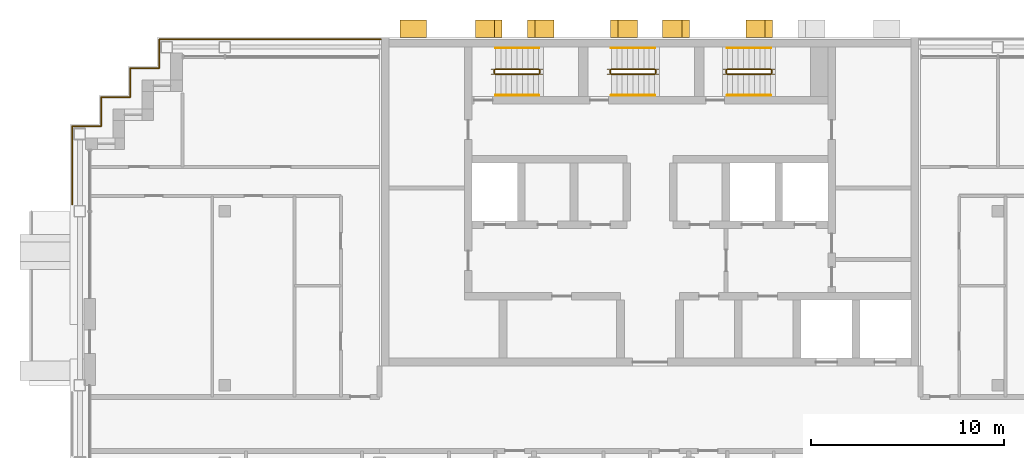
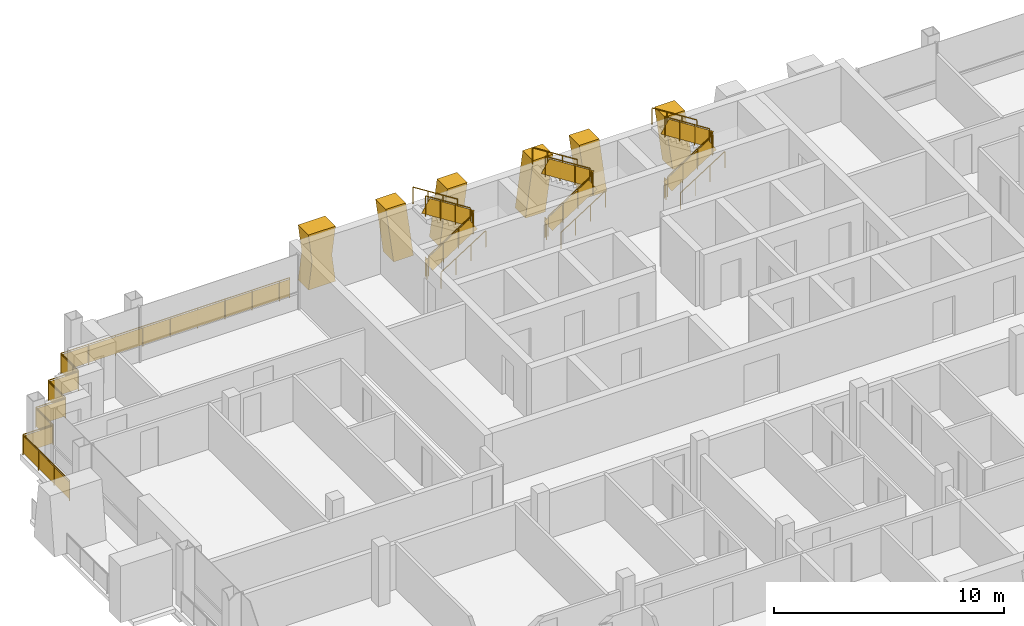
# One storey, part 15 of 16: 21 railings, 6 shading devices.
"""IFC4 building model written with IfcOpenShell, lengths in metres."""

from ifc_helpers import new_model, si_unit, direction, frame, origin, origin_2d, place, context, subcontext, project, spatial, polyline, rectangle, circle, outline, extrude, material, layer, layer_set, type_object, element, save


model = new_model("IFC4")

# Units and contexts
model_context = context("Model", 3, precision=1e-05, world=origin(), true_north=direction((0.0, 1.0)))
body_context = subcontext(model_context, "Body", "Model", "MODEL_VIEW")
ifc_project = project(units=[si_unit("LENGTHUNIT", "METRE"), si_unit("AREAUNIT", "SQUARE_METRE"), si_unit("VOLUMEUNIT", "CUBIC_METRE"), si_unit("PLANEANGLEUNIT", "RADIAN"), si_unit("MASSUNIT", "GRAM", prefix="KILO")], contexts=[model_context])

# Site, building, storey
site_placement = place(None, origin())
site = spatial("IfcSite", under=ifc_project, at=site_placement, CompositionType="ELEMENT")
building_placement = place(site_placement, origin())
building = spatial("IfcBuilding", under=site, at=building_placement, Name="Vidyagriha Tower", CompositionType="ELEMENT")
storey_placement = place(building_placement, frame((0.0, 0.0, 217.199951171875)))
storey = spatial("IfcBuildingStorey", under=building, at=storey_placement, Name="L56", CompositionType="ELEMENT", Elevation=217.199951171875)

# Shading devices
ifc_material_1 = material(Name="Precast concrete C40/50 with brick facing", Category="concrete")
ifc_layer_1 = layer(ifc_material_1, 1.0)
ifc_layer_set_1 = layer_set([ifc_layer_1], Name="Precast concrete C40/50 with brick facing")
shading_device_type_1 = type_object("IfcShadingDeviceType", Name="Brick-faced rear rib arm leaning 8 degrees", PredefinedType="USERDEFINED", material=ifc_layer_set_1)
for number, where, z_axis, x_axis, name in (
    (1, (6.343017578125, 20.449951171875, 0.0), (0.0, 0.0, 1.0), (-1.0, 0.0, 0.0), "Rear rib arm L56 R08.2a"),
    (2, (2.04296875, 20.449951171875, 0.0), (0.0, 0.0, 1.0), (-1.0, 0.0, 0.0), "Rear rib arm L56 R08.3a"),
):
    element("IfcShadingDevice", number, at=place(storey_placement, frame(where, z_axis=z_axis, x_axis=x_axis)), inside=storey, type_object=shading_device_type_1, Name=name, ObjectType="BLADE FIN", PredefinedType="USERDEFINED", context=body_context, shape_type="SweptSolid", body=[
        extrude(outline(polyline([(0.0, 0.0), (1.0, 0.0), (1.3857421875, 2.920166015625), (0.3857421875, 2.920166015625), (0.0, 0.0)])), frame((0.0, 0.449951171875, 0.0), z_axis=(0.0, -1.0, 0.0), x_axis=(1.0, 0.0, 0.0)), (0.0, 0.0, 1.0), 0.89990234375),
    ])
shading_device_1_placement = place(storey_placement, frame((-0.656982421875, 20.449951171875, 0.0), z_axis=(0.0, 0.0, 1.0), x_axis=(-1.0, 0.0, 0.0)))
element("IfcShadingDevice", 3, at=shading_device_1_placement, inside=storey, type_object=shading_device_type_1, Name="Rear rib arm L56 R08.3b", ObjectType="BLADE FIN", PredefinedType="USERDEFINED", context=body_context, shape_type="SweptSolid", body=[
    extrude(outline(polyline([(0.3857421875, 0.0), (1.3857421875, 0.0), (1.0, 2.920166015625), (0.0, 2.920166015625), (0.3857421875, 0.0)])), frame((0.0, 0.449951171875, 0.0), z_axis=(0.0, -1.0, 0.0), x_axis=(1.0, 0.0, 0.0)), (0.0, 0.0, 1.0), 0.89990234375),
])
shading_device_2_placement = place(storey_placement, frame((-7.656982421875, 20.449951171875, 0.0), z_axis=(0.0, 0.0, 1.0), x_axis=(-1.0, 0.0, 0.0)))
element("IfcShadingDevice", 4, at=shading_device_2_placement, inside=storey, type_object=shading_device_type_1, Name="Rear rib arm L56 R08.4a", ObjectType="BLADE FIN", PredefinedType="USERDEFINED", context=body_context, shape_type="SweptSolid", body=[
    extrude(outline(polyline([(0.0, 0.0), (1.0, 0.0), (1.3857421875, 2.920166015625), (0.3857421875, 2.920166015625), (0.0, 0.0)])), frame((0.0, 0.449951171875, 0.0), z_axis=(0.0, -1.0, 0.0), x_axis=(1.0, 0.0, 0.0)), (0.0, 0.0, 1.0), 0.89990234375),
])
shading_device_3_placement = place(storey_placement, frame((-4.95703125, 20.449951171875, 0.0), z_axis=(0.0, 0.0, 1.0), x_axis=(-1.0, 0.0, 0.0)))
element("IfcShadingDevice", 5, at=shading_device_3_placement, inside=storey, type_object=shading_device_type_1, Name="Rear rib arm L56 R08.4b", ObjectType="BLADE FIN", PredefinedType="USERDEFINED", context=body_context, shape_type="SweptSolid", body=[
    extrude(outline(polyline([(0.3857421875, 0.0), (1.3857421875, 0.0), (1.0, 2.920166015625), (0.0, 2.920166015625), (0.3857421875, 0.0)])), frame((0.0, 0.449951171875, 0.0), z_axis=(0.0, -1.0, 0.0), x_axis=(1.0, 0.0, 0.0)), (0.0, 0.0, 1.0), 0.89990234375),
])
ifc_material_2 = material(Name="Precast concrete C40/50 with brick facing", Category="concrete")
ifc_layer_2 = layer(ifc_material_2, 1.0)
ifc_layer_set_2 = layer_set([ifc_layer_2], Name="Precast concrete C40/50 with brick facing")
shading_device_type_2 = type_object("IfcShadingDeviceType", Name="Brick-faced rear rib forking 8 degrees", PredefinedType="USERDEFINED", material=ifc_layer_set_2)
shading_device_4_placement = place(storey_placement, frame((-11.5712890625, 20.449951171875, 0.0), z_axis=(0.0, 0.0, 1.0), x_axis=(-1.0, 0.0, 0.0)))
element("IfcShadingDevice", 6, at=shading_device_4_placement, inside=storey, type_object=shading_device_type_2, Name="Rear rib fork L56 R08.5a", ObjectType="BLADE FIN", PredefinedType="USERDEFINED", context=body_context, shape_type="SweptSolid", body=[
    extrude(outline(polyline([(0.0, 0.0), (1.357177734375, 0.0), (1.1787109375, 1.4599609375), (1.357177734375, 2.920166015625), (0.0, 2.920166015625), (0.1787109375, 1.4599609375), (0.0, 0.0)])), frame((0.0, 0.449951171875, 0.0), z_axis=(0.0, -1.0, 0.0), x_axis=(1.0, 0.0, 0.0)), (0.0, 0.0, 1.0), 0.89990234375),
])

# Railings
ifc_material_3 = material(Name="Steel ASTM A500 Grade C black painted", Category="steel")
railing_type_1 = type_object("IfcRailingType", Name="Gallery guard 1100", PredefinedType="GUARDRAIL", material=ifc_material_3)
railing_1_placement = place(storey_placement, frame((-29.89990234375, 11.360107421875, 0.0)))
element("IfcRailing", 7, at=railing_1_placement, inside=storey, type_object=railing_type_1, Name="Gallery guard L56 4", PredefinedType="GUARDRAIL", context=body_context, shape_type="SweptSolid", body=[
    extrude(circle(Radius=0.02490234375, at=origin_2d()), frame((0.0, 0.0, 1.0751953125), z_axis=(0.0, 1.0, 0.0), x_axis=(-1.0, 0.0, 0.0)), (0.0, 0.0, 1.0), 4.039794921875),
    extrude(circle(Radius=0.02490234375, at=origin_2d()), frame((0.0, 4.039794921875, 1.0751953125), z_axis=(1.0, 0.0, 0.0), x_axis=(0.0, 1.0, 0.0)), (0.0, 0.0, 1.0), 1.5),
    extrude(circle(Radius=0.02490234375, at=origin_2d()), frame((1.5, 4.039794921875, 1.0751953125), z_axis=(0.0, 1.0, 0.0), x_axis=(-1.0, 0.0, 0.0)), (0.0, 0.0, 1.0), 1.5),
    extrude(circle(Radius=0.02490234375, at=origin_2d()), frame((1.5, 5.539794921875, 1.0751953125), z_axis=(1.0, 0.0, 0.0), x_axis=(0.0, 1.0, 0.0)), (0.0, 0.0, 1.0), 1.5),
    extrude(circle(Radius=0.02490234375, at=origin_2d()), frame((3.0, 5.539794921875, 1.0751953125), z_axis=(0.0, 1.0, 0.0), x_axis=(-1.0, 0.0, 0.0)), (0.0, 0.0, 1.0), 1.5),
    extrude(circle(Radius=0.02490234375, at=origin_2d()), frame((3.0, 7.039794921875, 1.0751953125), z_axis=(1.0, 0.0, 0.0), x_axis=(0.0, 1.0, 0.0)), (0.0, 0.0, 1.0), 1.5),
    extrude(circle(Radius=0.02490234375, at=origin_2d()), frame((4.5, 7.039794921875, 1.0751953125), z_axis=(0.0, 1.0, 0.0), x_axis=(-1.0, 0.0, 0.0)), (0.0, 0.0, 1.0), 0.460205078125),
    extrude(circle(Radius=0.02001953125, at=origin_2d()), origin(), (0.0, 0.0, 1.0), 1.050048828125),
    extrude(circle(Radius=0.02001953125, at=origin_2d()), frame((0.0, 1.3466796875, 0.0)), (0.0, 0.0, 1.0), 1.050048828125),
    extrude(circle(Radius=0.02001953125, at=origin_2d()), frame((0.0, 2.693115234375, 0.0)), (0.0, 0.0, 1.0), 1.050048828125),
    extrude(circle(Radius=0.02001953125, at=origin_2d()), frame((0.0, 4.039794921875, 0.0)), (0.0, 0.0, 1.0), 1.050048828125),
    extrude(circle(Radius=0.02001953125, at=origin_2d()), frame((1.5, 4.039794921875, 0.0)), (0.0, 0.0, 1.0), 1.050048828125),
    extrude(circle(Radius=0.02001953125, at=origin_2d()), frame((1.5, 5.539794921875, 0.0)), (0.0, 0.0, 1.0), 1.050048828125),
    extrude(circle(Radius=0.02001953125, at=origin_2d()), frame((3.0, 5.539794921875, 0.0)), (0.0, 0.0, 1.0), 1.050048828125),
    extrude(circle(Radius=0.02001953125, at=origin_2d()), frame((3.0, 7.039794921875, 0.0)), (0.0, 0.0, 1.0), 1.050048828125),
    extrude(circle(Radius=0.02001953125, at=origin_2d()), frame((4.5, 7.039794921875, 0.0)), (0.0, 0.0, 1.0), 1.050048828125),
    extrude(circle(Radius=0.02001953125, at=origin_2d()), frame((4.5, 7.5, 0.0)), (0.0, 0.0, 1.0), 1.050048828125),
    extrude(rectangle(XDim=0.010009765625, YDim=0.900146484375, at=origin_2d()), frame((0.0, 0.0, 0.550048828125), z_axis=(0.0, 1.0, 0.0), x_axis=(-1.0, 0.0, 0.0)), (0.0, 0.0, 1.0), 4.039794921875),
    extrude(rectangle(XDim=0.010009765625, YDim=0.900146484375, at=origin_2d()), frame((0.0, 4.039794921875, 0.550048828125), z_axis=(1.0, 0.0, 0.0), x_axis=(0.0, 1.0, 0.0)), (0.0, 0.0, 1.0), 1.5),
    extrude(rectangle(XDim=0.010009765625, YDim=0.900146484375, at=origin_2d()), frame((1.5, 4.039794921875, 0.550048828125), z_axis=(0.0, 1.0, 0.0), x_axis=(-1.0, 0.0, 0.0)), (0.0, 0.0, 1.0), 1.5),
    extrude(rectangle(XDim=0.010009765625, YDim=0.900146484375, at=origin_2d()), frame((1.5, 5.539794921875, 0.550048828125), z_axis=(1.0, 0.0, 0.0), x_axis=(0.0, 1.0, 0.0)), (0.0, 0.0, 1.0), 1.5),
    extrude(rectangle(XDim=0.010009765625, YDim=0.900146484375, at=origin_2d()), frame((3.0, 5.539794921875, 0.550048828125), z_axis=(0.0, 1.0, 0.0), x_axis=(-1.0, 0.0, 0.0)), (0.0, 0.0, 1.0), 1.5),
    extrude(rectangle(XDim=0.010009765625, YDim=0.900146484375, at=origin_2d()), frame((3.0, 7.039794921875, 0.550048828125), z_axis=(1.0, 0.0, 0.0), x_axis=(0.0, 1.0, 0.0)), (0.0, 0.0, 1.0), 1.5),
    extrude(rectangle(XDim=0.010009765625, YDim=0.900146484375, at=origin_2d()), frame((4.5, 7.039794921875, 0.550048828125), z_axis=(0.0, 1.0, 0.0), x_axis=(-1.0, 0.0, 0.0)), (0.0, 0.0, 1.0), 0.460205078125),
])
railing_2_placement = place(storey_placement, frame((-25.39990234375, 18.860107421875, 0.0)))
element("IfcRailing", 8, at=railing_2_placement, inside=storey, type_object=railing_type_1, Name="Gallery guard L56 5", PredefinedType="GUARDRAIL", context=body_context, shape_type="SweptSolid", body=[
    extrude(circle(Radius=0.02490234375, at=origin_2d()), frame((0.0, 0.0, 1.0751953125), z_axis=(0.0, 1.0, 0.0), x_axis=(-1.0, 0.0, 0.0)), (0.0, 0.0, 1.0), 1.039794921875),
    extrude(circle(Radius=0.02490234375, at=origin_2d()), frame((0.0, 1.039794921875, 1.0751953125), z_axis=(1.0, 0.0, 0.0), x_axis=(0.0, 1.0, 0.0)), (0.0, 0.0, 1.0), 10.9599609375),
    extrude(circle(Radius=0.02001953125, at=origin_2d()), origin(), (0.0, 0.0, 1.0), 1.050048828125),
    extrude(circle(Radius=0.02001953125, at=origin_2d()), frame((0.0, 1.039794921875, 0.0)), (0.0, 0.0, 1.0), 1.050048828125),
    extrude(circle(Radius=0.02001953125, at=origin_2d()), frame((1.3701171875, 1.039794921875, 0.0)), (0.0, 0.0, 1.0), 1.050048828125),
    extrude(circle(Radius=0.02001953125, at=origin_2d()), frame((2.739990234375, 1.039794921875, 0.0)), (0.0, 0.0, 1.0), 1.050048828125),
    extrude(circle(Radius=0.02001953125, at=origin_2d()), frame((4.10986328125, 1.039794921875, 0.0)), (0.0, 0.0, 1.0), 1.050048828125),
    extrude(circle(Radius=0.02001953125, at=origin_2d()), frame((5.47998046875, 1.039794921875, 0.0)), (0.0, 0.0, 1.0), 1.050048828125),
    extrude(circle(Radius=0.02001953125, at=origin_2d()), frame((6.85009765625, 1.039794921875, 0.0)), (0.0, 0.0, 1.0), 1.050048828125),
    extrude(circle(Radius=0.02001953125, at=origin_2d()), frame((8.219970703125, 1.039794921875, 0.0)), (0.0, 0.0, 1.0), 1.050048828125),
    extrude(circle(Radius=0.02001953125, at=origin_2d()), frame((9.58984375, 1.039794921875, 0.0)), (0.0, 0.0, 1.0), 1.050048828125),
    extrude(circle(Radius=0.02001953125, at=origin_2d()), frame((10.9599609375, 1.039794921875, 0.0)), (0.0, 0.0, 1.0), 1.050048828125),
    extrude(rectangle(XDim=0.010009765625, YDim=0.900146484375, at=origin_2d()), frame((0.0, 0.0, 0.550048828125), z_axis=(0.0, 1.0, 0.0), x_axis=(-1.0, 0.0, 0.0)), (0.0, 0.0, 1.0), 1.039794921875),
    extrude(rectangle(XDim=0.010009765625, YDim=0.900146484375, at=origin_2d()), frame((0.0, 1.039794921875, 0.550048828125), z_axis=(1.0, 0.0, 0.0), x_axis=(0.0, 1.0, 0.0)), (0.0, 0.0, 1.0), 10.9599609375),
])
railing_3_placement = place(storey_placement, frame((-14.43994140625, 19.89990234375, 0.0)))
element("IfcRailing", 9, at=railing_3_placement, inside=storey, type_object=railing_type_1, Name="Gallery guard L56 6", PredefinedType="GUARDRAIL", context=body_context, shape_type="SweptSolid", body=[
    extrude(circle(Radius=0.02490234375, at=origin_2d()), frame((0.0, 0.0, 1.0751953125), z_axis=(1.0, 0.0, 0.0), x_axis=(0.0, 1.0, 0.0)), (0.0, 0.0, 1.0), 0.510009765625),
    extrude(circle(Radius=0.02001953125, at=origin_2d()), origin(), (0.0, 0.0, 1.0), 1.050048828125),
    extrude(circle(Radius=0.02001953125, at=origin_2d()), frame((0.510009765625, 0.0, 0.0)), (0.0, 0.0, 1.0), 1.050048828125),
    extrude(rectangle(XDim=0.010009765625, YDim=0.900146484375, at=origin_2d()), frame((0.0, 0.0, 0.550048828125), z_axis=(1.0, 0.0, 0.0), x_axis=(0.0, 1.0, 0.0)), (0.0, 0.0, 1.0), 0.510009765625),
])
ifc_material_4 = material(Name="Steel ASTM A500 Grade C", Category="steel")
railing_type_2 = type_object("IfcRailingType", Name="Stair guard 1100 mm, steel balustrade", PredefinedType="GUARDRAIL", material=ifc_material_4)
railing_4_placement = place(storey_placement, frame((-8.0, 18.10009765625, 0.177734375)))
element("IfcRailing", 10, at=railing_4_placement, inside=storey, type_object=railing_type_2, Name="L56 ST1 stair guard 1", PredefinedType="GUARDRAIL", context=body_context, shape_type="SweptSolid", body=[
    extrude(circle(Radius=0.02392578125, at=origin_2d()), frame((0.0, 0.0, 1.076171875), z_axis=(0.84418770128, 0.0, 0.536047689118), x_axis=(0.0, 1.0, 0.0)), (0.0, 0.0, 1.0), 2.6533203125),
    extrude(circle(Radius=0.02099609375, at=origin_2d()), origin(), (0.0, 0.0, 1.0), 1.052001953125),
    extrude(circle(Radius=0.02099609375, at=origin_2d()), frame((0.74658203125, 0.0, 0.47412109375)), (0.0, 0.0, 1.0), 1.052001953125),
    extrude(circle(Radius=0.02099609375, at=origin_2d()), frame((1.493408203125, 0.0, 0.9482421875)), (0.0, 0.0, 1.0), 1.052001953125),
    extrude(circle(Radius=0.02099609375, at=origin_2d()), frame((2.239990234375, 0.0, 1.42236328125)), (0.0, 0.0, 1.0), 1.052001953125),
    extrude(rectangle(XDim=0.010009765625, YDim=0.761474609375, at=origin_2d()), frame((0.0, 0.0, 0.551025390625), z_axis=(0.84418770128, 0.0, 0.536047689118), x_axis=(0.0, 1.0, 0.0)), (0.0, 0.0, 1.0), 2.6533203125),
])
railing_5_placement = place(storey_placement, frame((-5.7099609375, 18.14990234375, 1.60009765625)))
element("IfcRailing", 11, at=railing_5_placement, inside=storey, type_object=railing_type_2, Name="L56 ST1 stair guard 2", PredefinedType="GUARDRAIL", context=body_context, shape_type="SweptSolid", body=[
    extrude(circle(Radius=0.02392578125, at=origin_2d()), frame((0.0, 0.0, 1.076171875), z_axis=(0.0, 1.0, 0.0), x_axis=(-1.0, 0.0, 0.0)), (0.0, 0.0, 1.0), 0.150146484375),
    extrude(circle(Radius=0.02099609375, at=origin_2d()), origin(), (0.0, 0.0, 1.0), 1.052001953125),
    extrude(circle(Radius=0.02099609375, at=origin_2d()), frame((0.0, 0.150146484375, 0.0)), (0.0, 0.0, 1.0), 1.052001953125),
    extrude(rectangle(XDim=0.010009765625, YDim=0.902099609375, at=origin_2d()), frame((0.0, 0.0, 0.551025390625), z_axis=(0.0, 1.0, 0.0), x_axis=(-1.0, 0.0, 0.0)), (0.0, 0.0, 1.0), 0.150146484375),
])
railing_6_placement = place(storey_placement, frame((-5.760009765625, 18.35009765625, 1.77783203125)))
element("IfcRailing", 12, at=railing_6_placement, inside=storey, type_object=railing_type_2, Name="L56 ST1 stair guard 3", PredefinedType="GUARDRAIL", context=body_context, shape_type="SweptSolid", body=[
    extrude(circle(Radius=0.02392578125, at=origin_2d()), frame((0.0, 0.0, 1.076171875), z_axis=(-0.8442293374, 0.0, 0.53598211339), x_axis=(0.0, -1.0, 0.0)), (0.0, 0.0, 1.0), 2.6533203125),
    extrude(circle(Radius=0.02099609375, at=origin_2d()), origin(), (0.0, 0.0, 1.0), 1.052001953125),
    extrude(circle(Radius=0.02099609375, at=origin_2d()), frame((-0.74658203125, 0.0, 0.47412109375)), (0.0, 0.0, 1.0), 1.052001953125),
    extrude(circle(Radius=0.02099609375, at=origin_2d()), frame((-1.493408203125, 0.0, 0.947998046875)), (0.0, 0.0, 1.0), 1.052001953125),
    extrude(circle(Radius=0.02099609375, at=origin_2d()), frame((-2.239990234375, 0.0, 1.422119140625)), (0.0, 0.0, 1.0), 1.052001953125),
    extrude(rectangle(XDim=0.010009765625, YDim=0.761474609375, at=origin_2d()), frame((0.0, 0.0, 0.551025390625), z_axis=(-0.8442293374, 0.0, 0.53598211339), x_axis=(0.0, -1.0, 0.0)), (0.0, 0.0, 1.0), 2.6533203125),
])
railing_7_placement = place(storey_placement, frame((-8.050048828125, 18.14990234375, 0.0)))
element("IfcRailing", 13, at=railing_7_placement, inside=storey, type_object=railing_type_2, Name="L56 ST1 stair guard 4", PredefinedType="GUARDRAIL", context=body_context, shape_type="SweptSolid", body=[
    extrude(circle(Radius=0.02392578125, at=origin_2d()), frame((0.0, 0.0, 1.076171875), z_axis=(0.0, 1.0, 0.0), x_axis=(-1.0, 0.0, 0.0)), (0.0, 0.0, 1.0), 0.150146484375),
    extrude(circle(Radius=0.02099609375, at=origin_2d()), origin(), (0.0, 0.0, 1.0), 1.052001953125),
    extrude(circle(Radius=0.02099609375, at=origin_2d()), frame((0.0, 0.150146484375, 0.0)), (0.0, 0.0, 1.0), 1.052001953125),
    extrude(rectangle(XDim=0.010009765625, YDim=0.902099609375, at=origin_2d()), frame((0.0, 0.0, 0.551025390625), z_axis=(0.0, 1.0, 0.0), x_axis=(-1.0, 0.0, 0.0)), (0.0, 0.0, 1.0), 0.150146484375),
])
railing_8_placement = place(storey_placement, frame((-2.0, 18.10009765625, 0.177734375)))
element("IfcRailing", 14, at=railing_8_placement, inside=storey, type_object=railing_type_2, Name="L56 ST2 stair guard 1", PredefinedType="GUARDRAIL", context=body_context, shape_type="SweptSolid", body=[
    extrude(circle(Radius=0.02392578125, at=origin_2d()), frame((0.0, 0.0, 1.076171875), z_axis=(0.84418770128, 0.0, 0.536047689118), x_axis=(0.0, 1.0, 0.0)), (0.0, 0.0, 1.0), 2.6533203125),
    extrude(circle(Radius=0.02099609375, at=origin_2d()), origin(), (0.0, 0.0, 1.0), 1.052001953125),
    extrude(circle(Radius=0.02099609375, at=origin_2d()), frame((0.74658203125, 0.0, 0.47412109375)), (0.0, 0.0, 1.0), 1.052001953125),
    extrude(circle(Radius=0.02099609375, at=origin_2d()), frame((1.493408203125, 0.0, 0.9482421875)), (0.0, 0.0, 1.0), 1.052001953125),
    extrude(circle(Radius=0.02099609375, at=origin_2d()), frame((2.239990234375, 0.0, 1.42236328125)), (0.0, 0.0, 1.0), 1.052001953125),
    extrude(rectangle(XDim=0.010009765625, YDim=0.761474609375, at=origin_2d()), frame((0.0, 0.0, 0.551025390625), z_axis=(0.84418770128, 0.0, 0.536047689118), x_axis=(0.0, 1.0, 0.0)), (0.0, 0.0, 1.0), 2.6533203125),
])
railing_9_placement = place(storey_placement, frame((0.2900390625, 18.14990234375, 1.60009765625)))
element("IfcRailing", 15, at=railing_9_placement, inside=storey, type_object=railing_type_2, Name="L56 ST2 stair guard 2", PredefinedType="GUARDRAIL", context=body_context, shape_type="SweptSolid", body=[
    extrude(circle(Radius=0.02392578125, at=origin_2d()), frame((0.0, 0.0, 1.076171875), z_axis=(0.0, 1.0, 0.0), x_axis=(-1.0, 0.0, 0.0)), (0.0, 0.0, 1.0), 0.150146484375),
    extrude(circle(Radius=0.02099609375, at=origin_2d()), origin(), (0.0, 0.0, 1.0), 1.052001953125),
    extrude(circle(Radius=0.02099609375, at=origin_2d()), frame((0.0, 0.150146484375, 0.0)), (0.0, 0.0, 1.0), 1.052001953125),
    extrude(rectangle(XDim=0.010009765625, YDim=0.902099609375, at=origin_2d()), frame((0.0, 0.0, 0.551025390625), z_axis=(0.0, 1.0, 0.0), x_axis=(-1.0, 0.0, 0.0)), (0.0, 0.0, 1.0), 0.150146484375),
])
railing_10_placement = place(storey_placement, frame((0.239990234375, 18.35009765625, 1.77783203125)))
element("IfcRailing", 16, at=railing_10_placement, inside=storey, type_object=railing_type_2, Name="L56 ST2 stair guard 3", PredefinedType="GUARDRAIL", context=body_context, shape_type="SweptSolid", body=[
    extrude(circle(Radius=0.02392578125, at=origin_2d()), frame((0.0, 0.0, 1.076171875), z_axis=(-0.8442293374, 0.0, 0.53598211339), x_axis=(0.0, -1.0, 0.0)), (0.0, 0.0, 1.0), 2.6533203125),
    extrude(circle(Radius=0.02099609375, at=origin_2d()), origin(), (0.0, 0.0, 1.0), 1.052001953125),
    extrude(circle(Radius=0.02099609375, at=origin_2d()), frame((-0.74658203125, 0.0, 0.47412109375)), (0.0, 0.0, 1.0), 1.052001953125),
    extrude(circle(Radius=0.02099609375, at=origin_2d()), frame((-1.493408203125, 0.0, 0.947998046875)), (0.0, 0.0, 1.0), 1.052001953125),
    extrude(circle(Radius=0.02099609375, at=origin_2d()), frame((-2.239990234375, 0.0, 1.422119140625)), (0.0, 0.0, 1.0), 1.052001953125),
    extrude(rectangle(XDim=0.010009765625, YDim=0.761474609375, at=origin_2d()), frame((0.0, 0.0, 0.551025390625), z_axis=(-0.8442293374, 0.0, 0.53598211339), x_axis=(0.0, -1.0, 0.0)), (0.0, 0.0, 1.0), 2.6533203125),
])
railing_11_placement = place(storey_placement, frame((-2.050048828125, 18.14990234375, 0.0)))
element("IfcRailing", 17, at=railing_11_placement, inside=storey, type_object=railing_type_2, Name="L56 ST2 stair guard 4", PredefinedType="GUARDRAIL", context=body_context, shape_type="SweptSolid", body=[
    extrude(circle(Radius=0.02392578125, at=origin_2d()), frame((0.0, 0.0, 1.076171875), z_axis=(0.0, 1.0, 0.0), x_axis=(-1.0, 0.0, 0.0)), (0.0, 0.0, 1.0), 0.150146484375),
    extrude(circle(Radius=0.02099609375, at=origin_2d()), origin(), (0.0, 0.0, 1.0), 1.052001953125),
    extrude(circle(Radius=0.02099609375, at=origin_2d()), frame((0.0, 0.150146484375, 0.0)), (0.0, 0.0, 1.0), 1.052001953125),
    extrude(rectangle(XDim=0.010009765625, YDim=0.902099609375, at=origin_2d()), frame((0.0, 0.0, 0.551025390625), z_axis=(0.0, 1.0, 0.0), x_axis=(-1.0, 0.0, 0.0)), (0.0, 0.0, 1.0), 0.150146484375),
])
railing_12_placement = place(storey_placement, frame((4.0, 18.10009765625, 0.177734375)))
element("IfcRailing", 18, at=railing_12_placement, inside=storey, type_object=railing_type_2, Name="L56 ST3 stair guard 1", PredefinedType="GUARDRAIL", context=body_context, shape_type="SweptSolid", body=[
    extrude(circle(Radius=0.02392578125, at=origin_2d()), frame((0.0, 0.0, 1.076171875), z_axis=(0.84418770128, 0.0, 0.536047689118), x_axis=(0.0, 1.0, 0.0)), (0.0, 0.0, 1.0), 2.6533203125),
    extrude(circle(Radius=0.02099609375, at=origin_2d()), origin(), (0.0, 0.0, 1.0), 1.052001953125),
    extrude(circle(Radius=0.02099609375, at=origin_2d()), frame((0.74658203125, 0.0, 0.47412109375)), (0.0, 0.0, 1.0), 1.052001953125),
    extrude(circle(Radius=0.02099609375, at=origin_2d()), frame((1.493408203125, 0.0, 0.9482421875)), (0.0, 0.0, 1.0), 1.052001953125),
    extrude(circle(Radius=0.02099609375, at=origin_2d()), frame((2.239990234375, 0.0, 1.42236328125)), (0.0, 0.0, 1.0), 1.052001953125),
    extrude(rectangle(XDim=0.010009765625, YDim=0.761474609375, at=origin_2d()), frame((0.0, 0.0, 0.551025390625), z_axis=(0.84418770128, 0.0, 0.536047689118), x_axis=(0.0, 1.0, 0.0)), (0.0, 0.0, 1.0), 2.6533203125),
])
railing_13_placement = place(storey_placement, frame((6.2900390625, 18.14990234375, 1.60009765625)))
element("IfcRailing", 19, at=railing_13_placement, inside=storey, type_object=railing_type_2, Name="L56 ST3 stair guard 2", PredefinedType="GUARDRAIL", context=body_context, shape_type="SweptSolid", body=[
    extrude(circle(Radius=0.02392578125, at=origin_2d()), frame((0.0, 0.0, 1.076171875), z_axis=(0.0, 1.0, 0.0), x_axis=(-1.0, 0.0, 0.0)), (0.0, 0.0, 1.0), 0.150146484375),
    extrude(circle(Radius=0.02099609375, at=origin_2d()), origin(), (0.0, 0.0, 1.0), 1.052001953125),
    extrude(circle(Radius=0.02099609375, at=origin_2d()), frame((0.0, 0.150146484375, 0.0)), (0.0, 0.0, 1.0), 1.052001953125),
    extrude(rectangle(XDim=0.010009765625, YDim=0.902099609375, at=origin_2d()), frame((0.0, 0.0, 0.551025390625), z_axis=(0.0, 1.0, 0.0), x_axis=(-1.0, 0.0, 0.0)), (0.0, 0.0, 1.0), 0.150146484375),
])
railing_14_placement = place(storey_placement, frame((6.239990234375, 18.35009765625, 1.77783203125)))
element("IfcRailing", 20, at=railing_14_placement, inside=storey, type_object=railing_type_2, Name="L56 ST3 stair guard 3", PredefinedType="GUARDRAIL", context=body_context, shape_type="SweptSolid", body=[
    extrude(circle(Radius=0.02392578125, at=origin_2d()), frame((0.0, 0.0, 1.076171875), z_axis=(-0.8442293374, 0.0, 0.53598211339), x_axis=(0.0, -1.0, 0.0)), (0.0, 0.0, 1.0), 2.6533203125),
    extrude(circle(Radius=0.02099609375, at=origin_2d()), origin(), (0.0, 0.0, 1.0), 1.052001953125),
    extrude(circle(Radius=0.02099609375, at=origin_2d()), frame((-0.74658203125, 0.0, 0.47412109375)), (0.0, 0.0, 1.0), 1.052001953125),
    extrude(circle(Radius=0.02099609375, at=origin_2d()), frame((-1.493408203125, 0.0, 0.947998046875)), (0.0, 0.0, 1.0), 1.052001953125),
    extrude(circle(Radius=0.02099609375, at=origin_2d()), frame((-2.239990234375, 0.0, 1.422119140625)), (0.0, 0.0, 1.0), 1.052001953125),
    extrude(rectangle(XDim=0.010009765625, YDim=0.761474609375, at=origin_2d()), frame((0.0, 0.0, 0.551025390625), z_axis=(-0.8442293374, 0.0, 0.53598211339), x_axis=(0.0, -1.0, 0.0)), (0.0, 0.0, 1.0), 2.6533203125),
])
railing_15_placement = place(storey_placement, frame((3.949951171875, 18.14990234375, 0.0)))
element("IfcRailing", 21, at=railing_15_placement, inside=storey, type_object=railing_type_2, Name="L56 ST3 stair guard 4", PredefinedType="GUARDRAIL", context=body_context, shape_type="SweptSolid", body=[
    extrude(circle(Radius=0.02392578125, at=origin_2d()), frame((0.0, 0.0, 1.076171875), z_axis=(0.0, 1.0, 0.0), x_axis=(-1.0, 0.0, 0.0)), (0.0, 0.0, 1.0), 0.150146484375),
    extrude(circle(Radius=0.02099609375, at=origin_2d()), origin(), (0.0, 0.0, 1.0), 1.052001953125),
    extrude(circle(Radius=0.02099609375, at=origin_2d()), frame((0.0, 0.150146484375, 0.0)), (0.0, 0.0, 1.0), 1.052001953125),
    extrude(rectangle(XDim=0.010009765625, YDim=0.902099609375, at=origin_2d()), frame((0.0, 0.0, 0.551025390625), z_axis=(0.0, 1.0, 0.0), x_axis=(-1.0, 0.0, 0.0)), (0.0, 0.0, 1.0), 0.150146484375),
])
ifc_material_5 = material(Name="Steel ASTM A500 Grade C", Category="steel")
railing_type_3 = type_object("IfcRailingType", Name="Stair handrail 900 mm, steel", PredefinedType="HANDRAIL", material=ifc_material_5)
railing_16_placement = place(storey_placement, frame((-8.0, 17.0, 0.177734375)))
element("IfcRailing", 22, at=railing_16_placement, inside=storey, type_object=railing_type_3, Name="L56 ST1 stair handrail 1", PredefinedType="HANDRAIL", context=body_context, shape_type="SweptSolid", body=[
    extrude(circle(Radius=0.02392578125, at=origin_2d()), frame((0.0, 0.0, 0.8759765625), z_axis=(0.84418770128, 0.0, 0.536047689118), x_axis=(0.0, 1.0, 0.0)), (0.0, 0.0, 1.0), 2.6533203125),
    extrude(circle(Radius=0.02099609375, at=origin_2d()), origin(), (0.0, 0.0, 1.0), 0.851806640625),
    extrude(circle(Radius=0.02099609375, at=origin_2d()), frame((0.74658203125, 0.0, 0.47412109375)), (0.0, 0.0, 1.0), 0.851806640625),
    extrude(circle(Radius=0.02099609375, at=origin_2d()), frame((1.493408203125, 0.0, 0.9482421875)), (0.0, 0.0, 1.0), 0.851806640625),
    extrude(circle(Radius=0.02099609375, at=origin_2d()), frame((2.239990234375, 0.0, 1.42236328125)), (0.0, 0.0, 1.0), 0.851806640625),
])
railing_17_placement = place(storey_placement, frame((-5.760009765625, 19.449951171875, 1.77783203125)))
element("IfcRailing", 23, at=railing_17_placement, inside=storey, type_object=railing_type_3, Name="L56 ST1 stair handrail 2", PredefinedType="HANDRAIL", context=body_context, shape_type="SweptSolid", body=[
    extrude(circle(Radius=0.02392578125, at=origin_2d()), frame((0.0, 0.0, 0.8759765625), z_axis=(-0.8442293374, 0.0, 0.53598211339), x_axis=(0.0, -1.0, 0.0)), (0.0, 0.0, 1.0), 2.6533203125),
    extrude(circle(Radius=0.02099609375, at=origin_2d()), origin(), (0.0, 0.0, 1.0), 0.851806640625),
    extrude(circle(Radius=0.02099609375, at=origin_2d()), frame((-0.74658203125, 0.0, 0.47412109375)), (0.0, 0.0, 1.0), 0.851806640625),
    extrude(circle(Radius=0.02099609375, at=origin_2d()), frame((-1.493408203125, 0.0, 0.947998046875)), (0.0, 0.0, 1.0), 0.851806640625),
    extrude(circle(Radius=0.02099609375, at=origin_2d()), frame((-2.239990234375, 0.0, 1.422119140625)), (0.0, 0.0, 1.0), 0.851806640625),
])
railing_18_placement = place(storey_placement, frame((-2.0, 17.0, 0.177734375)))
element("IfcRailing", 24, at=railing_18_placement, inside=storey, type_object=railing_type_3, Name="L56 ST2 stair handrail 1", PredefinedType="HANDRAIL", context=body_context, shape_type="SweptSolid", body=[
    extrude(circle(Radius=0.02392578125, at=origin_2d()), frame((0.0, 0.0, 0.8759765625), z_axis=(0.84418770128, 0.0, 0.536047689118), x_axis=(0.0, 1.0, 0.0)), (0.0, 0.0, 1.0), 2.6533203125),
    extrude(circle(Radius=0.02099609375, at=origin_2d()), origin(), (0.0, 0.0, 1.0), 0.851806640625),
    extrude(circle(Radius=0.02099609375, at=origin_2d()), frame((0.74658203125, 0.0, 0.47412109375)), (0.0, 0.0, 1.0), 0.851806640625),
    extrude(circle(Radius=0.02099609375, at=origin_2d()), frame((1.493408203125, 0.0, 0.9482421875)), (0.0, 0.0, 1.0), 0.851806640625),
    extrude(circle(Radius=0.02099609375, at=origin_2d()), frame((2.239990234375, 0.0, 1.42236328125)), (0.0, 0.0, 1.0), 0.851806640625),
])
railing_19_placement = place(storey_placement, frame((0.239990234375, 19.449951171875, 1.77783203125)))
element("IfcRailing", 25, at=railing_19_placement, inside=storey, type_object=railing_type_3, Name="L56 ST2 stair handrail 2", PredefinedType="HANDRAIL", context=body_context, shape_type="SweptSolid", body=[
    extrude(circle(Radius=0.02392578125, at=origin_2d()), frame((0.0, 0.0, 0.8759765625), z_axis=(-0.8442293374, 0.0, 0.53598211339), x_axis=(0.0, -1.0, 0.0)), (0.0, 0.0, 1.0), 2.6533203125),
    extrude(circle(Radius=0.02099609375, at=origin_2d()), origin(), (0.0, 0.0, 1.0), 0.851806640625),
    extrude(circle(Radius=0.02099609375, at=origin_2d()), frame((-0.74658203125, 0.0, 0.47412109375)), (0.0, 0.0, 1.0), 0.851806640625),
    extrude(circle(Radius=0.02099609375, at=origin_2d()), frame((-1.493408203125, 0.0, 0.947998046875)), (0.0, 0.0, 1.0), 0.851806640625),
    extrude(circle(Radius=0.02099609375, at=origin_2d()), frame((-2.239990234375, 0.0, 1.422119140625)), (0.0, 0.0, 1.0), 0.851806640625),
])
railing_20_placement = place(storey_placement, frame((4.0, 17.0, 0.177734375)))
element("IfcRailing", 26, at=railing_20_placement, inside=storey, type_object=railing_type_3, Name="L56 ST3 stair handrail 1", PredefinedType="HANDRAIL", context=body_context, shape_type="SweptSolid", body=[
    extrude(circle(Radius=0.02392578125, at=origin_2d()), frame((0.0, 0.0, 0.8759765625), z_axis=(0.84418770128, 0.0, 0.536047689118), x_axis=(0.0, 1.0, 0.0)), (0.0, 0.0, 1.0), 2.6533203125),
    extrude(circle(Radius=0.02099609375, at=origin_2d()), origin(), (0.0, 0.0, 1.0), 0.851806640625),
    extrude(circle(Radius=0.02099609375, at=origin_2d()), frame((0.74658203125, 0.0, 0.47412109375)), (0.0, 0.0, 1.0), 0.851806640625),
    extrude(circle(Radius=0.02099609375, at=origin_2d()), frame((1.493408203125, 0.0, 0.9482421875)), (0.0, 0.0, 1.0), 0.851806640625),
    extrude(circle(Radius=0.02099609375, at=origin_2d()), frame((2.239990234375, 0.0, 1.42236328125)), (0.0, 0.0, 1.0), 0.851806640625),
])
railing_21_placement = place(storey_placement, frame((6.239990234375, 19.449951171875, 1.77783203125)))
element("IfcRailing", 27, at=railing_21_placement, inside=storey, type_object=railing_type_3, Name="L56 ST3 stair handrail 2", PredefinedType="HANDRAIL", context=body_context, shape_type="SweptSolid", body=[
    extrude(circle(Radius=0.02392578125, at=origin_2d()), frame((0.0, 0.0, 0.8759765625), z_axis=(-0.8442293374, 0.0, 0.53598211339), x_axis=(0.0, -1.0, 0.0)), (0.0, 0.0, 1.0), 2.6533203125),
    extrude(circle(Radius=0.02099609375, at=origin_2d()), origin(), (0.0, 0.0, 1.0), 0.851806640625),
    extrude(circle(Radius=0.02099609375, at=origin_2d()), frame((-0.74658203125, 0.0, 0.47412109375)), (0.0, 0.0, 1.0), 0.851806640625),
    extrude(circle(Radius=0.02099609375, at=origin_2d()), frame((-1.493408203125, 0.0, 0.947998046875)), (0.0, 0.0, 1.0), 0.851806640625),
    extrude(circle(Radius=0.02099609375, at=origin_2d()), frame((-2.239990234375, 0.0, 1.422119140625)), (0.0, 0.0, 1.0), 0.851806640625),
])

save(model, "model.ifc")
